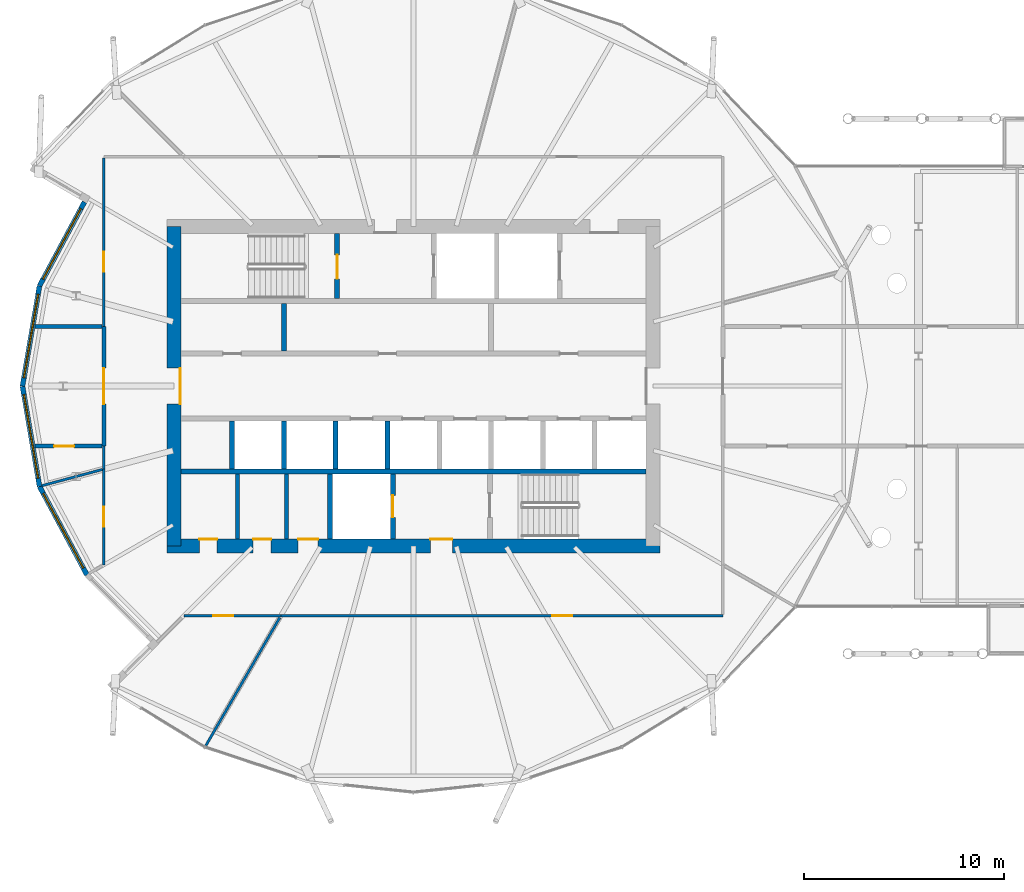
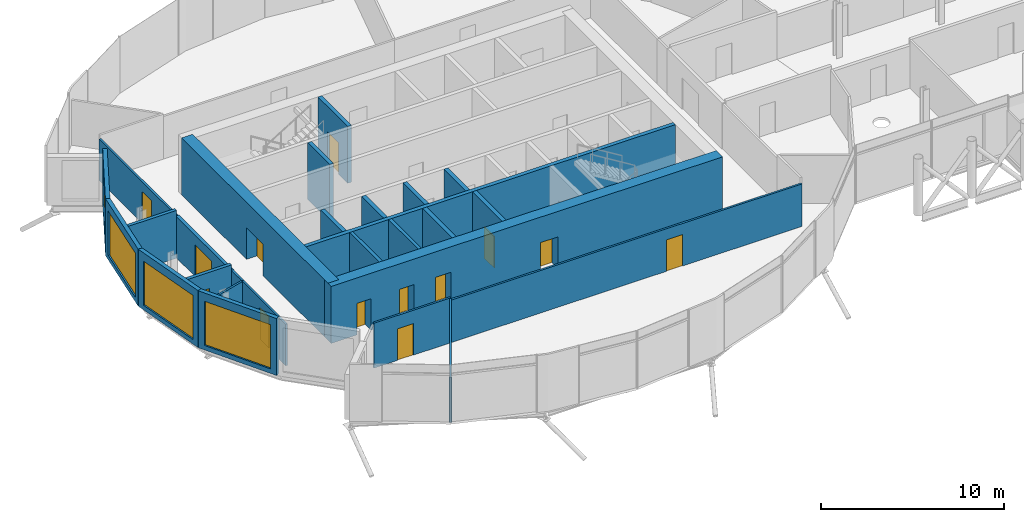
# One storey, part 24 of 39: 27 walls, 13 doors, 4 windows, 17 openings.
"""IFC4 building model written with IfcOpenShell, lengths in metres."""

from ifc_helpers import new_model, si_unit, direction, frame, frame_2d, origin, place, context, subcontext, project, spatial, rectangle, extrude, material, layer, layer_set, type_object, element, fill, save


model = new_model("IFC4")

# Units and contexts
model_context = context("Model", 3, precision=1e-05, world=origin(), true_north=direction((0.0, 1.0)))
body_context = subcontext(model_context, "Body", "Model", "MODEL_VIEW")
ifc_project = project(units=[si_unit("LENGTHUNIT", "METRE"), si_unit("AREAUNIT", "SQUARE_METRE"), si_unit("VOLUMEUNIT", "CUBIC_METRE"), si_unit("PLANEANGLEUNIT", "RADIAN"), si_unit("MASSUNIT", "GRAM", prefix="KILO")], contexts=[model_context])

# Site, building, storey
site_placement = place(None, origin())
site = spatial("IfcSite", under=ifc_project, at=site_placement, CompositionType="ELEMENT")
building_placement = place(site_placement, origin())
building = spatial("IfcBuilding", under=site, at=building_placement, Name="Rimbun Link Towers", CompositionType="ELEMENT")
storey_placement = place(building_placement, frame((0.0, 0.0, 143.0)))
storey = spatial("IfcBuildingStorey", under=building, at=storey_placement, Name="L34", CompositionType="ELEMENT", Elevation=143.0)

# Wall, opening, window
ifc_material_1 = material(Name="Dark enamelled glass spandrel on insulated aluminium backpan", Category="aluminium")
ifc_layer_1 = layer(ifc_material_1, 0.25)
ifc_layer_set_1 = layer_set([ifc_layer_1], Name="CS dark enamelled spandrel wall 250")
wall_type_1 = type_object("IfcWallType", Name="CS dark enamelled spandrel wall 250", PredefinedType="STANDARD", material=ifc_layer_set_1)
wall_1_placement = place(storey_placement, frame((-50.4755859375, 5.0263671875, 0.0), z_axis=(0.0, 0.0, 1.0), x_axis=(0.47248174368, 0.881340457422, 0.0)))
wall_1 = element("IfcWall", 1, at=wall_1_placement, inside=storey, type_object=wall_type_1, Name="Crease spandrel wall", PredefinedType="STANDARD", context=body_context, shape_type="SweptSolid", body=[
    extrude(rectangle(XDim=4.76220703125, YDim=0.25, at=frame_2d((2.381103515625, 0.0))), origin(), (0.0, 0.0, 1.0), 3.800048828125),
])
opening_1_placement = place(wall_1_placement, frame((0.381103515625, 0.0, 0.300048828125)))
opening_1 = element("IfcOpeningElement", 2, at=opening_1_placement, cuts=wall_1, Name="Opening WR40H295", PredefinedType="OPENING", context=body_context, shape_type="SweptSolid", body=[
    extrude(rectangle(XDim=4.0, YDim=2.949951171875, at=frame_2d((2.0, 1.47509765625))), frame((0.0, 0.135009765625, 0.0), z_axis=(0.0, -1.0, 0.0), x_axis=(1.0, 0.0, 0.0)), (0.0, 0.0, 1.0), 0.27001953125),
])
ifc_material_2 = material(Name="Aluminium framed fixed window, dark tinted low-e glass", Category="aluminium")
window_type_1 = type_object("IfcWindowType", Name="WR ribbon window 4000X2950", PartitioningType="SINGLE_PANEL", PredefinedType="WINDOW", material=ifc_material_2)
window_1_placement = place(opening_1_placement, origin())
window_1 = element("IfcWindow", 3, at=window_1_placement, inside=storey, type_object=window_type_1, Name="Crease ribbon window", OverallHeight=2.949951171875, OverallWidth=4.0, PartitioningType="SINGLE_PANEL", PredefinedType="WINDOW", context=body_context, shape_type="SweptSolid", body=[
    extrude(rectangle(XDim=4.0, YDim=2.949951171875, at=frame_2d((2.0, 1.47509765625))), frame((0.0, 0.030029296875, 0.0), z_axis=(0.0, -1.0, 0.0), x_axis=(1.0, 0.0, 0.0)), (0.0, 0.0, 1.0), 0.06005859375),
])
fill(opening_1, window_1)

wall_2_placement = place(storey_placement, frame((-51.330322265625, 0.0, 0.0), z_axis=(0.0, 0.0, 1.0), x_axis=(0.167643894896, 0.985847617284, 0.0)))
wall_2 = element("IfcWall", 4, at=wall_2_placement, inside=storey, type_object=wall_type_1, Name="Crease spandrel wall", PredefinedType="STANDARD", context=body_context, shape_type="SweptSolid", body=[
    extrude(rectangle(XDim=5.0986328125, YDim=0.25, at=frame_2d((2.54931640625, 0.0))), origin(), (0.0, 0.0, 1.0), 3.800048828125),
])
opening_2_placement = place(wall_2_placement, frame((0.42431640625, 0.0, 0.300048828125)))
opening_2 = element("IfcOpeningElement", 5, at=opening_2_placement, cuts=wall_2, Name="Opening WR42H295", PredefinedType="OPENING", context=body_context, shape_type="SweptSolid", body=[
    extrude(rectangle(XDim=4.25, YDim=2.949951171875, at=frame_2d((2.125, 1.47509765625))), frame((0.0, 0.135009765625, 0.0), z_axis=(0.0, -1.0, 0.0), x_axis=(1.0, 0.0, 0.0)), (0.0, 0.0, 1.0), 0.27001953125),
])
ifc_material_3 = material(Name="Aluminium framed fixed window, dark tinted low-e glass", Category="aluminium")
window_type_2 = type_object("IfcWindowType", Name="WR ribbon window 4250X2950", PartitioningType="SINGLE_PANEL", PredefinedType="WINDOW", material=ifc_material_3)
window_2_placement = place(opening_2_placement, origin())
window_2 = element("IfcWindow", 6, at=window_2_placement, inside=storey, type_object=window_type_2, Name="Crease ribbon window", OverallHeight=2.949951171875, OverallWidth=4.25, PartitioningType="SINGLE_PANEL", PredefinedType="WINDOW", context=body_context, shape_type="SweptSolid", body=[
    extrude(rectangle(XDim=4.25, YDim=2.949951171875, at=frame_2d((2.125, 1.47509765625))), frame((0.0, 0.030029296875, 0.0), z_axis=(0.0, -1.0, 0.0), x_axis=(1.0, 0.0, 0.0)), (0.0, 0.0, 1.0), 0.06005859375),
])
fill(opening_2, window_2)

wall_3_placement = place(storey_placement, frame((-50.4755859375, -5.0263671875, 0.0), z_axis=(0.0, 0.0, 1.0), x_axis=(-0.167643894896, 0.985847617284, 0.0)))
wall_3 = element("IfcWall", 7, at=wall_3_placement, inside=storey, type_object=wall_type_1, Name="Crease spandrel wall", PredefinedType="STANDARD", context=body_context, shape_type="SweptSolid", body=[
    extrude(rectangle(XDim=5.0986328125, YDim=0.25, at=frame_2d((2.54931640625, 0.0))), origin(), (0.0, 0.0, 1.0), 3.800048828125),
])
opening_3_placement = place(wall_3_placement, frame((0.42431640625, 0.0, 0.300048828125)))
opening_3 = element("IfcOpeningElement", 8, at=opening_3_placement, cuts=wall_3, Name="Opening WR42H295", PredefinedType="OPENING", context=body_context, shape_type="SweptSolid", body=[
    extrude(rectangle(XDim=4.25, YDim=2.949951171875, at=frame_2d((2.125, 1.47509765625))), frame((0.0, 0.135009765625, 0.0), z_axis=(0.0, -1.0, 0.0), x_axis=(1.0, 0.0, 0.0)), (0.0, 0.0, 1.0), 0.27001953125),
])
window_3_placement = place(opening_3_placement, origin())
window_3 = element("IfcWindow", 9, at=window_3_placement, inside=storey, type_object=window_type_2, Name="Crease ribbon window", OverallHeight=2.949951171875, OverallWidth=4.25, PartitioningType="SINGLE_PANEL", PredefinedType="WINDOW", context=body_context, shape_type="SweptSolid", body=[
    extrude(rectangle(XDim=4.25, YDim=2.949951171875, at=frame_2d((2.125, 1.47509765625))), frame((0.0, 0.030029296875, 0.0), z_axis=(0.0, -1.0, 0.0), x_axis=(1.0, 0.0, 0.0)), (0.0, 0.0, 1.0), 0.06005859375),
])
fill(opening_3, window_3)

wall_4_placement = place(storey_placement, frame((-48.1005859375, -9.45654296875, 0.0), z_axis=(0.0, 0.0, 1.0), x_axis=(-0.472482867298, 0.881339855056, 0.0)))
wall_4 = element("IfcWall", 10, at=wall_4_placement, inside=storey, type_object=wall_type_1, Name="Crease spandrel wall", PredefinedType="STANDARD", context=body_context, shape_type="SweptSolid", body=[
    extrude(rectangle(XDim=5.026611328125, YDim=0.25, at=frame_2d((2.51318359375, 0.0))), origin(), (0.0, 0.0, 1.0), 3.800048828125),
])
opening_4_placement = place(wall_4_placement, frame((0.38818359375, 0.0, 0.300048828125)))
opening_4 = element("IfcOpeningElement", 11, at=opening_4_placement, cuts=wall_4, Name="Opening WR42H295", PredefinedType="OPENING", context=body_context, shape_type="SweptSolid", body=[
    extrude(rectangle(XDim=4.25, YDim=2.949951171875, at=frame_2d((2.125, 1.47509765625))), frame((0.0, 0.135009765625, 0.0), z_axis=(0.0, -1.0, 0.0), x_axis=(1.0, 0.0, 0.0)), (0.0, 0.0, 1.0), 0.27001953125),
])
window_4_placement = place(opening_4_placement, origin())
window_4 = element("IfcWindow", 12, at=window_4_placement, inside=storey, type_object=window_type_2, Name="Crease ribbon window", OverallHeight=2.949951171875, OverallWidth=4.25, PartitioningType="SINGLE_PANEL", PredefinedType="WINDOW", context=body_context, shape_type="SweptSolid", body=[
    extrude(rectangle(XDim=4.25, YDim=2.949951171875, at=frame_2d((2.125, 1.47509765625))), frame((0.0, 0.030029296875, 0.0), z_axis=(0.0, -1.0, 0.0), x_axis=(1.0, 0.0, 0.0)), (0.0, 0.0, 1.0), 0.06005859375),
])
fill(opening_4, window_4)

# Walls
ifc_material_4 = material(Name="Masonry blockwork", Category="masonry")
ifc_layer_2 = layer(ifc_material_4, 0.199951171875)
ifc_layer_set_2 = layer_set([ifc_layer_2], Name="Core partition 200")
wall_type_2 = type_object("IfcWallType", Name="Core partition 200", PredefinedType="PARTITIONING", material=ifc_layer_set_2)
for number, where, z_axis, x_axis, name in (
    (13, (-40.550048828125, -4.39990234375, 0.0), (0.0, 0.0, 1.0), (0.0, -1.0, 0.0), "L34 T1 core wall C1"),
    (14, (-38.10009765625, -4.39990234375, 0.0), (0.0, 0.0, 1.0), (0.0, -1.0, 0.0), "L34 T1 core wall C2"),
):
    element("IfcWall", number, at=place(storey_placement, frame(where, z_axis=z_axis, x_axis=x_axis)), inside=storey, type_object=wall_type_2, Name=name, PredefinedType="PARTITIONING", context=body_context, shape_type="SweptSolid", body=[
        extrude(rectangle(XDim=3.25, YDim=0.199951171875, at=frame_2d((1.625, 0.0))), origin(), (0.0, 0.0, 1.0), 3.800048828125),
    ])

# Wall, openings, doors
ifc_material_5 = material(Name="Concrete C60/75", Category="concrete")
ifc_layer_3 = layer(ifc_material_5, 0.699951171875)
ifc_layer_set_3 = layer_set([ifc_layer_3], Name="Core shear wall 700")
wall_type_3 = type_object("IfcWallType", Name="Core shear wall 700", PredefinedType="SHEAR", material=ifc_layer_set_3)
wall_5_placement = place(storey_placement, frame((-44.10009765625, -8.0, 0.0), z_axis=(0.0, 0.0, 1.0), x_axis=(1.0, 0.0, 0.0)))
wall_5 = element("IfcWall", 15, at=wall_5_placement, inside=storey, type_object=wall_type_3, Name="L34 T1 core wall S", PredefinedType="SHEAR", context=body_context, shape_type="SweptSolid", body=[
    extrude(rectangle(XDim=24.7001953125, YDim=0.699951171875, at=frame_2d((12.35009765625, 0.0))), origin(), (0.0, 0.0, 1.0), 3.800048828125),
])
opening_5_placement = place(wall_5_placement, frame((13.199951171875, 0.0, 0.0)))
opening_5 = element("IfcOpeningElement", 16, at=opening_5_placement, cuts=wall_5, Name="Opening C1DCF01S", PredefinedType="OPENING", context=body_context, shape_type="SweptSolid", body=[
    extrude(rectangle(XDim=1.10009765625, YDim=2.10009765625, at=frame_2d((0.550048828125, 1.050048828125))), frame((0.0, 0.35986328125, 0.0), z_axis=(0.0, -1.0, 0.0), x_axis=(1.0, 0.0, 0.0)), (0.0, 0.0, 1.0), 0.719970703125),
])
opening_6_placement = place(wall_5_placement, frame((1.625, 0.0, 0.0)))
opening_6 = element("IfcOpeningElement", 17, at=opening_6_placement, cuts=wall_5, Name="Opening C1DWC02S", PredefinedType="OPENING", context=body_context, shape_type="SweptSolid", body=[
    extrude(rectangle(XDim=0.89990234375, YDim=2.10009765625, at=frame_2d((0.449951171875, 1.050048828125))), frame((0.0, 0.35986328125, 0.0), z_axis=(0.0, -1.0, 0.0), x_axis=(1.0, 0.0, 0.0)), (0.0, 0.0, 1.0), 0.719970703125),
])
opening_7_placement = place(wall_5_placement, frame((4.324951171875, 0.0, 0.0)))
opening_7 = element("IfcOpeningElement", 18, at=opening_7_placement, cuts=wall_5, Name="Opening C1DWC03S", PredefinedType="OPENING", context=body_context, shape_type="SweptSolid", body=[
    extrude(rectangle(XDim=0.89990234375, YDim=2.10009765625, at=frame_2d((0.449951171875, 1.050048828125))), frame((0.0, 0.35986328125, 0.0), z_axis=(0.0, -1.0, 0.0), x_axis=(1.0, 0.0, 0.0)), (0.0, 0.0, 1.0), 0.719970703125),
])
opening_8_placement = place(wall_5_placement, frame((6.574951171875, 0.0, 0.0)))
opening_8 = element("IfcOpeningElement", 19, at=opening_8_placement, cuts=wall_5, Name="Opening C1DAW04S", PredefinedType="OPENING", context=body_context, shape_type="SweptSolid", body=[
    extrude(rectangle(XDim=1.0, YDim=2.10009765625, at=frame_2d((0.5, 1.050048828125))), frame((0.0, 0.35986328125, 0.0), z_axis=(0.0, -1.0, 0.0), x_axis=(1.0, 0.0, 0.0)), (0.0, 0.0, 1.0), 0.719970703125),
])
ifc_material_6 = material(Name="Timber", Category="wood")
door_type_1 = type_object("IfcDoorType", Name="Accessible WC door", OperationType="SINGLE_SWING_LEFT", PredefinedType="DOOR", material=ifc_material_6)
door_1_placement = place(opening_8_placement, origin())
door_1 = element("IfcDoor", 20, at=door_1_placement, inside=storey, type_object=door_type_1, Name="L34 T1 accessible wc door", OperationType="SINGLE_SWING_RIGHT", OverallHeight=2.10009765625, OverallWidth=1.0, PredefinedType="DOOR", context=body_context, shape_type="SweptSolid", body=[
    extrude(rectangle(XDim=1.0, YDim=2.10009765625, at=frame_2d((0.5, 1.050048828125))), frame((0.0, 0.35009765625, 0.0), z_axis=(0.0, -1.0, 0.0), x_axis=(1.0, 0.0, 0.0)), (0.0, 0.0, 1.0), 0.050048828125),
])
fill(opening_8, door_1)
ifc_material_7 = material(Name="Steel fire door set", Category="steel")
door_type_2 = type_object("IfcDoorType", Name="Core fire door single", OperationType="SINGLE_SWING_LEFT", PredefinedType="DOOR", material=ifc_material_7)
door_2_placement = place(opening_5_placement, origin())
door_2 = element("IfcDoor", 21, at=door_2_placement, inside=storey, type_object=door_type_2, Name="L34 T1 firefighting lobby s door", OperationType="SINGLE_SWING_RIGHT", OverallHeight=2.10009765625, OverallWidth=1.10009765625, PredefinedType="DOOR", context=body_context, shape_type="SweptSolid", body=[
    extrude(rectangle(XDim=1.10009765625, YDim=2.10009765625, at=frame_2d((0.550048828125, 1.050048828125))), frame((0.0, 0.35009765625, 0.0), z_axis=(0.0, -1.0, 0.0), x_axis=(1.0, 0.0, 0.0)), (0.0, 0.0, 1.0), 0.050048828125),
])
fill(opening_5, door_2)
ifc_material_8 = material(Name="Timber", Category="wood")
door_type_3 = type_object("IfcDoorType", Name="WC door", OperationType="SINGLE_SWING_LEFT", PredefinedType="DOOR", material=ifc_material_8)
door_3_placement = place(opening_6_placement, origin())
door_3 = element("IfcDoor", 22, at=door_3_placement, inside=storey, type_object=door_type_3, Name="L34 T1 male wc door", OperationType="SINGLE_SWING_LEFT", OverallHeight=2.10009765625, OverallWidth=0.89990234375, PredefinedType="DOOR", context=body_context, shape_type="SweptSolid", body=[
    extrude(rectangle(XDim=0.89990234375, YDim=2.10009765625, at=frame_2d((0.449951171875, 1.050048828125))), frame((0.0, 0.35009765625, 0.0), z_axis=(0.0, -1.0, 0.0), x_axis=(1.0, 0.0, 0.0)), (0.0, 0.0, 1.0), 0.050048828125),
])
fill(opening_6, door_3)
door_4_placement = place(opening_7_placement, origin())
door_4 = element("IfcDoor", 23, at=door_4_placement, inside=storey, type_object=door_type_3, Name="L34 T1 female wc door", OperationType="SINGLE_SWING_RIGHT", OverallHeight=2.10009765625, OverallWidth=0.89990234375, PredefinedType="DOOR", context=body_context, shape_type="SweptSolid", body=[
    extrude(rectangle(XDim=0.89990234375, YDim=2.10009765625, at=frame_2d((0.449951171875, 1.050048828125))), frame((0.0, 0.35009765625, 0.0), z_axis=(0.0, -1.0, 0.0), x_axis=(1.0, 0.0, 0.0)), (0.0, 0.0, 1.0), 0.050048828125),
])
fill(opening_7, door_4)

# Wall, opening, door
wall_6_placement = place(storey_placement, frame((-43.75, -8.0, 0.0), z_axis=(0.0, 0.0, 1.0), x_axis=(0.0, 1.0, 0.0)))
wall_6 = element("IfcWall", 24, at=wall_6_placement, inside=storey, type_object=wall_type_3, Name="L34 T1 core wall W", PredefinedType="SHEAR", context=body_context, shape_type="SweptSolid", body=[
    extrude(rectangle(XDim=16.0, YDim=0.699951171875, at=frame_2d((8.0, 0.0))), origin(), (0.0, 0.0, 1.0), 3.800048828125),
])
opening_9_placement = place(wall_6_placement, frame((7.10009765625, 0.0, 0.0)))
opening_9 = element("IfcOpeningElement", 25, at=opening_9_placement, cuts=wall_6, Name="Opening C1DCL01W", PredefinedType="OPENING", context=body_context, shape_type="SweptSolid", body=[
    extrude(rectangle(XDim=1.800048828125, YDim=2.10009765625, at=frame_2d((0.89990234375, 1.050048828125))), frame((0.0, 0.35986328125, 0.0), z_axis=(0.0, -1.0, 0.0), x_axis=(1.0, 0.0, 0.0)), (0.0, 0.0, 1.0), 0.719970703125),
])
ifc_material_9 = material(Name="Steel fire door set", Category="steel")
door_type_4 = type_object("IfcDoorType", Name="Core lobby door double", OperationType="DOUBLE_DOOR_SINGLE_SWING", PredefinedType="DOOR", material=ifc_material_9)
door_5_placement = place(opening_9_placement, origin())
door_5 = element("IfcDoor", 26, at=door_5_placement, inside=storey, type_object=door_type_4, Name="L34 T1 lift lobby door", OperationType="DOUBLE_DOOR_SINGLE_SWING", OverallHeight=2.10009765625, OverallWidth=1.800048828125, PredefinedType="DOOR", context=body_context, shape_type="SweptSolid", body=[
    extrude(rectangle(XDim=1.800048828125, YDim=2.10009765625, at=frame_2d((0.89990234375, 1.050048828125))), frame((0.0, -0.2998046875, 0.0), z_axis=(0.0, -1.0, 0.0), x_axis=(1.0, 0.0, 0.0)), (0.0, 0.0, 1.0), 0.050048828125),
])
fill(opening_9, door_5)

ifc_material_10 = material(Name="Concrete blockwork", Category="masonry")
ifc_layer_4 = layer(ifc_material_10, 0.199951171875)
ifc_layer_set_4 = layer_set([ifc_layer_4], Name="Fire partition 200 blockwork")
wall_type_4 = type_object("IfcWallType", Name="Fire partition 200 blockwork", PredefinedType="PARTITIONING", material=ifc_layer_set_4)
wall_7_placement = place(storey_placement, frame((-47.25, 3.0, 0.0), z_axis=(0.0, 0.0, 1.0), x_axis=(0.0, -1.0, 0.0)))
wall_7 = element("IfcWall", 27, at=wall_7_placement, inside=storey, type_object=wall_type_4, Name="TW/PW/L34/007", PredefinedType="PARTITIONING", context=body_context, shape_type="SweptSolid", body=[
    extrude(rectangle(XDim=6.0, YDim=0.199951171875, at=frame_2d((3.0, 0.0))), origin(), (0.0, 0.0, 1.0), 2.759033203125),
])
opening_10_placement = place(wall_7_placement, frame((2.10009765625, 0.0, 0.0)))
opening_10 = element("IfcOpeningElement", 28, at=opening_10_placement, cuts=wall_7, Name="Opening TW D34.25", PredefinedType="OPENING", context=body_context, shape_type="SweptSolid", body=[
    extrude(rectangle(XDim=1.800048828125, YDim=2.10009765625, at=frame_2d((0.89990234375, 1.050048828125))), frame((0.0, 0.10986328125, 0.0), z_axis=(0.0, -1.0, 0.0), x_axis=(1.0, 0.0, 0.0)), (0.0, 0.0, 1.0), 0.219970703125),
])
ifc_material_11 = material(Name="Steel fire door set", Category="steel")
door_type_5 = type_object("IfcDoorType", Name="Fire door double leaf 1800 x 2100", OperationType="NOTDEFINED", PredefinedType="DOOR", material=ifc_material_11)
door_6_placement = place(opening_10_placement, origin())
door_6 = element("IfcDoor", 29, at=door_6_placement, inside=storey, type_object=door_type_5, Name="TW/DR/L34/025", OperationType="DOUBLE_DOOR_SINGLE_SWING", OverallHeight=2.10009765625, OverallWidth=1.800048828125, PredefinedType="DOOR", context=body_context, shape_type="SweptSolid", body=[
    extrude(rectangle(XDim=1.800048828125, YDim=2.10009765625, at=frame_2d((0.89990234375, 1.050048828125))), frame((0.0, 0.02490234375, 0.0), z_axis=(0.0, -1.0, 0.0), x_axis=(1.0, 0.0, 0.0)), (0.0, 0.0, 1.0), 0.050048828125),
])
fill(opening_10, door_6)

wall_8_placement = place(storey_placement, frame((-50.693359375, -3.0, 0.0), z_axis=(0.0, 0.0, 1.0), x_axis=(1.0, 0.0, 0.0)))
wall_8 = element("IfcWall", 30, at=wall_8_placement, inside=storey, type_object=wall_type_4, Name="TW/PW/L34/024", PredefinedType="PARTITIONING", context=body_context, shape_type="SweptSolid", body=[
    extrude(rectangle(XDim=3.34326171875, YDim=0.199951171875, at=frame_2d((1.671630859375, 0.0))), origin(), (0.0, 0.0, 1.0), 3.194091796875),
])
opening_11_placement = place(wall_8_placement, frame((0.955078125, 0.0, 0.0)))
opening_11 = element("IfcOpeningElement", 31, at=opening_11_placement, cuts=wall_8, Name="Opening TW D34.08", PredefinedType="OPENING", context=body_context, shape_type="SweptSolid", body=[
    extrude(rectangle(XDim=1.0, YDim=2.10009765625, at=frame_2d((0.5, 1.050048828125))), frame((0.0, 0.10986328125, 0.0), z_axis=(0.0, -1.0, 0.0), x_axis=(1.0, 0.0, 0.0)), (0.0, 0.0, 1.0), 0.219970703125),
])
ifc_material_12 = material(Name="Steel fire door set", Category="steel")
door_type_6 = type_object("IfcDoorType", Name="Fire door single leaf 1000 x 2100", OperationType="NOTDEFINED", PredefinedType="DOOR", material=ifc_material_12)
door_7_placement = place(opening_11_placement, origin())
door_7 = element("IfcDoor", 32, at=door_7_placement, inside=storey, type_object=door_type_6, Name="TW/DR/L34/008", OperationType="SINGLE_SWING_LEFT", OverallHeight=2.10009765625, OverallWidth=1.0, PredefinedType="DOOR", context=body_context, shape_type="SweptSolid", body=[
    extrude(rectangle(XDim=1.0, YDim=2.10009765625, at=frame_2d((0.5, 1.050048828125))), frame((0.0, 0.02490234375, 0.0), z_axis=(0.0, -1.0, 0.0), x_axis=(1.0, 0.0, 0.0)), (0.0, 0.0, 1.0), 0.050048828125),
])
fill(opening_11, door_7)

# Wall
wall_9_placement = place(storey_placement, frame((-47.35009765625, 3.0, 0.0), z_axis=(0.0, 0.0, 1.0), x_axis=(-1.0, 0.0, 0.0)))
element("IfcWall", 33, at=wall_9_placement, inside=storey, type_object=wall_type_4, Name="TW/PW/L34/025", PredefinedType="PARTITIONING", context=body_context, shape_type="SweptSolid", body=[
    extrude(rectangle(XDim=3.34326171875, YDim=0.199951171875, at=frame_2d((1.671630859375, 0.0))), origin(), (0.0, 0.0, 1.0), 3.194091796875),
])

# Wall, opening, door
ifc_material_13 = material(Name="Gypsum board on steel studs", Category="steel")
ifc_layer_5 = layer(ifc_material_13, 0.125)
ifc_layer_set_5 = layer_set([ifc_layer_5], Name="Partition 125 board on studs")
wall_type_5 = type_object("IfcWallType", Name="Partition 125 board on studs", PredefinedType="PARTITIONING", material=ifc_layer_set_5)
wall_10_placement = place(storey_placement, frame((-47.25, -4.1533203125, 0.0), z_axis=(0.0, 0.0, 1.0), x_axis=(0.0, -1.0, 0.0)))
wall_10 = element("IfcWall", 34, at=wall_10_placement, inside=storey, type_object=wall_type_5, Name="TW/PW/L34/008", PredefinedType="PARTITIONING", context=body_context, shape_type="SweptSolid", body=[
    extrude(rectangle(XDim=4.795654296875, YDim=0.125, at=frame_2d((2.39794921875, 0.0))), origin(), (0.0, 0.0, 1.0), 2.759033203125),
])
opening_12_placement = place(wall_10_placement, frame((1.89794921875, 0.0, 0.0)))
opening_12 = element("IfcOpeningElement", 35, at=opening_12_placement, cuts=wall_10, Name="Opening TW D34.01", PredefinedType="OPENING", context=body_context, shape_type="SweptSolid", body=[
    extrude(rectangle(XDim=1.0, YDim=2.10009765625, at=frame_2d((0.5, 1.050048828125))), frame((0.0, 0.072509765625, 0.0), z_axis=(0.0, -1.0, 0.0), x_axis=(1.0, 0.0, 0.0)), (0.0, 0.0, 1.0), 0.14501953125),
])
ifc_material_14 = material(Name="Timber door set", Category="wood")
door_type_7 = type_object("IfcDoorType", Name="Door single leaf 1000 x 2100", OperationType="NOTDEFINED", PredefinedType="DOOR", material=ifc_material_14)
door_8_placement = place(opening_12_placement, origin())
door_8 = element("IfcDoor", 36, at=door_8_placement, inside=storey, type_object=door_type_7, Name="TW/DR/L34/001", OperationType="SINGLE_SWING_RIGHT", OverallHeight=2.10009765625, OverallWidth=1.0, PredefinedType="DOOR", context=body_context, shape_type="SweptSolid", body=[
    extrude(rectangle(XDim=1.0, YDim=2.10009765625, at=frame_2d((0.5, 1.050048828125))), frame((0.0, 0.02490234375, 0.0), z_axis=(0.0, -1.0, 0.0), x_axis=(1.0, 0.0, 0.0)), (0.0, 0.0, 1.0), 0.050048828125),
])
fill(opening_12, door_8)

wall_11_placement = place(storey_placement, frame((-43.25, -11.5, 0.0), z_axis=(0.0, 0.0, 1.0), x_axis=(1.0, 0.0, 0.0)))
wall_11 = element("IfcWall", 37, at=wall_11_placement, inside=storey, type_object=wall_type_5, Name="TW/PW/L34/010", PredefinedType="PARTITIONING", context=body_context, shape_type="SweptSolid", body=[
    extrude(rectangle(XDim=4.860595703125, YDim=0.125, at=frame_2d((2.43017578125, 0.0))), origin(), (0.0, 0.0, 1.0), 2.9970703125),
])
opening_13_placement = place(wall_11_placement, frame((1.486083984375, 0.0, 0.0)))
opening_13 = element("IfcOpeningElement", 38, at=opening_13_placement, cuts=wall_11, Name="Opening TW D34.02", PredefinedType="OPENING", context=body_context, shape_type="SweptSolid", body=[
    extrude(rectangle(XDim=1.0, YDim=2.10009765625, at=frame_2d((0.5, 1.050048828125))), frame((0.0, 0.072509765625, 0.0), z_axis=(0.0, -1.0, 0.0), x_axis=(1.0, 0.0, 0.0)), (0.0, 0.0, 1.0), 0.14501953125),
])
door_9_placement = place(opening_13_placement, origin())
door_9 = element("IfcDoor", 39, at=door_9_placement, inside=storey, type_object=door_type_7, Name="TW/DR/L34/002", OperationType="SINGLE_SWING_LEFT", OverallHeight=2.10009765625, OverallWidth=1.0, PredefinedType="DOOR", context=body_context, shape_type="SweptSolid", body=[
    extrude(rectangle(XDim=1.0, YDim=2.10009765625, at=frame_2d((0.5, 1.050048828125))), frame((0.0, 0.02490234375, 0.0), z_axis=(0.0, -1.0, 0.0), x_axis=(1.0, 0.0, 0.0)), (0.0, 0.0, 1.0), 0.050048828125),
])
fill(opening_13, door_9)

wall_12_placement = place(storey_placement, frame((-38.389404296875, -11.5, 0.0), z_axis=(0.0, 0.0, 1.0), x_axis=(1.0, 0.0, 0.0)))
wall_12 = element("IfcWall", 40, at=wall_12_placement, inside=storey, type_object=wall_type_5, Name="TW/PW/L34/012", PredefinedType="PARTITIONING", context=body_context, shape_type="SweptSolid", body=[
    extrude(rectangle(XDim=22.139404296875, YDim=0.125, at=frame_2d((11.06982421875, 0.0))), origin(), (0.0, 0.0, 1.0), 2.837890625),
])
opening_14_placement = place(wall_12_placement, frame((13.60595703125, 0.0, 0.0)))
opening_14 = element("IfcOpeningElement", 41, at=opening_14_placement, cuts=wall_12, Name="Opening TW D34.03", PredefinedType="OPENING", context=body_context, shape_type="SweptSolid", body=[
    extrude(rectangle(XDim=1.0, YDim=2.10009765625, at=frame_2d((0.5, 1.050048828125))), frame((0.0, 0.072509765625, 0.0), z_axis=(0.0, -1.0, 0.0), x_axis=(1.0, 0.0, 0.0)), (0.0, 0.0, 1.0), 0.14501953125),
])
door_10_placement = place(opening_14_placement, origin())
door_10 = element("IfcDoor", 42, at=door_10_placement, inside=storey, type_object=door_type_7, Name="TW/DR/L34/003", OperationType="SINGLE_SWING_RIGHT", OverallHeight=2.10009765625, OverallWidth=1.0, PredefinedType="DOOR", context=body_context, shape_type="SweptSolid", body=[
    extrude(rectangle(XDim=1.0, YDim=2.10009765625, at=frame_2d((0.5, 1.050048828125))), frame((0.0, 0.02490234375, 0.0), z_axis=(0.0, -1.0, 0.0), x_axis=(1.0, 0.0, 0.0)), (0.0, 0.0, 1.0), 0.050048828125),
])
fill(opening_14, door_10)

# Wall
wall_13_placement = place(storey_placement, frame((-47.25, -3.0, 0.0), z_axis=(0.0, 0.0, 1.0), x_axis=(0.0, -1.0, 0.0)))
element("IfcWall", 43, at=wall_13_placement, inside=storey, type_object=wall_type_5, Name="TW/PW/L34/019", PredefinedType="PARTITIONING", context=body_context, shape_type="SweptSolid", body=[
    extrude(rectangle(XDim=1.1533203125, YDim=0.125, at=frame_2d((0.57666015625, 0.0))), origin(), (0.0, 0.0, 1.0), 2.759033203125),
])

# Wall, opening, door
wall_14_placement = place(storey_placement, frame((-47.25, 11.4375, 0.0), z_axis=(0.0, 0.0, 1.0), x_axis=(0.0, -1.0, 0.0)))
wall_14 = element("IfcWall", 44, at=wall_14_placement, inside=storey, type_object=wall_type_5, Name="TW/PW/L34/021", PredefinedType="PARTITIONING", context=body_context, shape_type="SweptSolid", body=[
    extrude(rectangle(XDim=8.4375, YDim=0.125, at=frame_2d((4.21875, 0.0))), origin(), (0.0, 0.0, 1.0), 2.759033203125),
])
opening_15_placement = place(wall_14_placement, frame((4.698974609375, 0.0, 0.0)))
opening_15 = element("IfcOpeningElement", 45, at=opening_15_placement, cuts=wall_14, Name="Opening TW D34.09", PredefinedType="OPENING", context=body_context, shape_type="SweptSolid", body=[
    extrude(rectangle(XDim=1.0, YDim=2.10009765625, at=frame_2d((0.5, 1.050048828125))), frame((0.0, 0.072509765625, 0.0), z_axis=(0.0, -1.0, 0.0), x_axis=(1.0, 0.0, 0.0)), (0.0, 0.0, 1.0), 0.14501953125),
])
door_11_placement = place(opening_15_placement, origin())
door_11 = element("IfcDoor", 46, at=door_11_placement, inside=storey, type_object=door_type_7, Name="TW/DR/L34/009", OperationType="SINGLE_SWING_RIGHT", OverallHeight=2.10009765625, OverallWidth=1.0, PredefinedType="DOOR", context=body_context, shape_type="SweptSolid", body=[
    extrude(rectangle(XDim=1.0, YDim=2.10009765625, at=frame_2d((0.5, 1.050048828125))), frame((0.0, 0.02490234375, 0.0), z_axis=(0.0, -1.0, 0.0), x_axis=(1.0, 0.0, 0.0)), (0.0, 0.0, 1.0), 0.050048828125),
])
fill(opening_15, door_11)

# Walls
wall_15_placement = place(storey_placement, frame((-47.32861328125, -4.17431640625, 0.0), z_axis=(0.0, 0.0, 1.0), x_axis=(-0.965931708511, -0.258797091352, 0.0)))
element("IfcWall", 47, at=wall_15_placement, inside=storey, type_object=wall_type_5, Name="TW/PW/L34/026", PredefinedType="PARTITIONING", context=body_context, shape_type="SweptSolid", body=[
    extrude(rectangle(XDim=3.1337890625, YDim=0.125, at=frame_2d((1.56689453125, 0.0))), origin(), (0.0, 0.0, 1.0), 2.759033203125),
])
wall_16_placement = place(storey_placement, frame((-42.215576171875, -18.126708984375, 0.0), z_axis=(0.0, 0.0, 1.0), x_axis=(0.500016605963, 0.866015816115, 0.0)))
element("IfcWall", 48, at=wall_16_placement, inside=storey, type_object=wall_type_5, Name="TW/PW/L34/027", PredefinedType="PARTITIONING", context=body_context, shape_type="SweptSolid", body=[
    extrude(rectangle(XDim=7.543701171875, YDim=0.125, at=frame_2d((3.77197265625, 0.0))), origin(), (0.0, 0.0, 1.0), 2.9970703125),
])
ifc_material_15 = material(Name="Concrete C60/75", Category="concrete")
ifc_layer_6 = layer(ifc_material_15, 0.25)
ifc_layer_set_6 = layer_set([ifc_layer_6], Name="Shaft wall 250")
wall_type_6 = type_object("IfcWallType", Name="Shaft wall 250", PredefinedType="SHEAR", material=ifc_layer_set_6)
wall_17_placement = place(storey_placement, frame((-43.39990234375, -4.27490234375, 0.0), z_axis=(0.0, 0.0, 1.0), x_axis=(1.0, 0.0, 0.0)))
element("IfcWall", 49, at=wall_17_placement, inside=storey, type_object=wall_type_6, Name="L34 T1 core wall BS", PredefinedType="SHEAR", context=body_context, shape_type="SweptSolid", body=[
    extrude(rectangle(XDim=23.2998046875, YDim=0.25, at=frame_2d((11.64990234375, 0.0))), origin(), (0.0, 0.0, 1.0), 3.800048828125),
])
for number, where, z_axis, x_axis, name in (
    (50, (-38.236083984375, 1.75, 0.0), (0.0, 0.0, 1.0), (0.0, 1.0, 0.0), "L34 T1 core wall DN1"),
    (51, (-40.83056640625, -4.14990234375, 0.0), (0.0, 0.0, 1.0), (0.0, 1.0, 0.0), "L34 T1 core wall DS0"),
    (52, (-38.236083984375, -4.14990234375, 0.0), (0.0, 0.0, 1.0), (0.0, 1.0, 0.0), "L34 T1 core wall DS1"),
    (53, (-35.6416015625, -4.14990234375, 0.0), (0.0, 0.0, 1.0), (0.0, 1.0, 0.0), "L34 T1 core wall DS2"),
    (54, (-33.047119140625, -4.14990234375, 0.0), (0.0, 0.0, 1.0), (0.0, 1.0, 0.0), "L34 T1 core wall DS3"),
):
    element("IfcWall", number, at=place(storey_placement, frame(where, z_axis=z_axis, x_axis=x_axis)), inside=storey, type_object=wall_type_6, Name=name, PredefinedType="SHEAR", context=body_context, shape_type="SweptSolid", body=[
        extrude(rectangle(XDim=2.39990234375, YDim=0.25, at=frame_2d((1.199951171875, 0.0))), origin(), (0.0, 0.0, 1.0), 3.800048828125),
    ])

# Wall, opening, door
wall_18_placement = place(storey_placement, frame((-35.574951171875, 4.39990234375, 0.0), z_axis=(0.0, 0.0, 1.0), x_axis=(0.0, 1.0, 0.0)))
wall_18 = element("IfcWall", 55, at=wall_18_placement, inside=storey, type_object=wall_type_6, Name="L34 T1 core wall A1", PredefinedType="SHEAR", context=body_context, shape_type="SweptSolid", body=[
    extrude(rectangle(XDim=3.25, YDim=0.25, at=frame_2d((1.625, 0.0))), origin(), (0.0, 0.0, 1.0), 3.800048828125),
])
opening_16_placement = place(wall_18_placement, frame((0.97509765625, 0.0, 0.0)))
opening_16 = element("IfcOpeningElement", 56, at=opening_16_placement, cuts=wall_18, Name="Opening C1DST01A1", PredefinedType="OPENING", context=body_context, shape_type="SweptSolid", body=[
    extrude(rectangle(XDim=1.199951171875, YDim=2.10009765625, at=frame_2d((0.60009765625, 1.050048828125))), frame((0.0, 0.135009765625, 0.0), z_axis=(0.0, -1.0, 0.0), x_axis=(1.0, 0.0, 0.0)), (0.0, 0.0, 1.0), 0.27001953125),
])
ifc_material_16 = material(Name="Steel fire door set", Category="steel")
door_type_8 = type_object("IfcDoorType", Name="Stair door", OperationType="SINGLE_SWING_LEFT", PredefinedType="DOOR", material=ifc_material_16)
door_12_placement = place(opening_16_placement, origin())
door_12 = element("IfcDoor", 57, at=door_12_placement, inside=storey, type_object=door_type_8, Name="L34 T1 stair a door", OperationType="SINGLE_SWING_RIGHT", OverallHeight=2.10009765625, OverallWidth=1.199951171875, PredefinedType="DOOR", context=body_context, shape_type="SweptSolid", body=[
    extrude(rectangle(XDim=1.199951171875, YDim=2.10009765625, at=frame_2d((0.60009765625, 1.050048828125))), frame((0.0, 0.02490234375, 0.0), z_axis=(0.0, -1.0, 0.0), x_axis=(1.0, 0.0, 0.0)), (0.0, 0.0, 1.0), 0.050048828125),
])
fill(opening_16, door_12)

wall_19_placement = place(storey_placement, frame((-32.77490234375, -4.39990234375, 0.0), z_axis=(0.0, 0.0, 1.0), x_axis=(0.0, -1.0, 0.0)))
wall_19 = element("IfcWall", 58, at=wall_19_placement, inside=storey, type_object=wall_type_6, Name="L34 T1 core wall B2", PredefinedType="SHEAR", context=body_context, shape_type="SweptSolid", body=[
    extrude(rectangle(XDim=3.25, YDim=0.25, at=frame_2d((1.625, 0.0))), origin(), (0.0, 0.0, 1.0), 3.800048828125),
])
opening_17_placement = place(wall_19_placement, frame((1.074951171875, 0.0, 0.0)))
opening_17 = element("IfcOpeningElement", 59, at=opening_17_placement, cuts=wall_19, Name="Opening LD-T1-FF2", PredefinedType="OPENING", context=body_context, shape_type="SweptSolid", body=[
    extrude(rectangle(XDim=1.10009765625, YDim=2.10009765625, at=frame_2d((0.550048828125, 1.050048828125))), frame((0.0, 0.135009765625, 0.0), z_axis=(0.0, -1.0, 0.0), x_axis=(1.0, 0.0, 0.0)), (0.0, 0.0, 1.0), 0.27001953125),
])
ifc_material_17 = material(Name="Stainless steel grade 316", Category="steel")
door_type_9 = type_object("IfcDoorType", Name="Lift landing door", OperationType="DOUBLE_DOOR_SLIDING", PredefinedType="DOOR", material=ifc_material_17)
door_13_placement = place(opening_17_placement, origin())
door_13 = element("IfcDoor", 60, at=door_13_placement, inside=storey, type_object=door_type_9, Name="L34 T1 lift FF2 landing door", OperationType="DOUBLE_DOOR_SLIDING", OverallHeight=2.10009765625, OverallWidth=1.10009765625, PredefinedType="DOOR", context=body_context, shape_type="SweptSolid", body=[
    extrude(rectangle(XDim=1.10009765625, YDim=2.10009765625, at=frame_2d((0.550048828125, 1.050048828125))), frame((0.0, 0.02490234375, 0.0), z_axis=(0.0, -1.0, 0.0), x_axis=(1.0, 0.0, 0.0)), (0.0, 0.0, 1.0), 0.050048828125),
])
fill(opening_17, door_13)

# Wall
wall_20_placement = place(storey_placement, frame((-35.925048828125, -4.39990234375, 0.0), z_axis=(0.0, 0.0, 1.0), x_axis=(0.0, -1.0, 0.0)))
element("IfcWall", 61, at=wall_20_placement, inside=storey, type_object=wall_type_6, Name="L34 T1 core wall B3", PredefinedType="SHEAR", context=body_context, shape_type="SweptSolid", body=[
    extrude(rectangle(XDim=3.25, YDim=0.25, at=frame_2d((1.625, 0.0))), origin(), (0.0, 0.0, 1.0), 3.800048828125),
])

save(model, "model.ifc")
